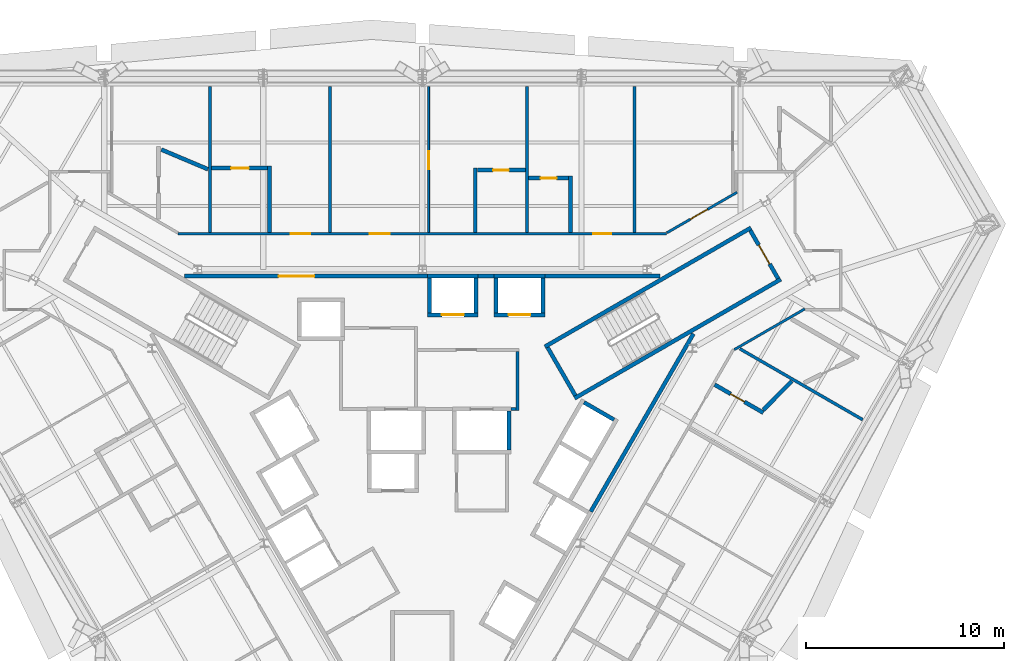
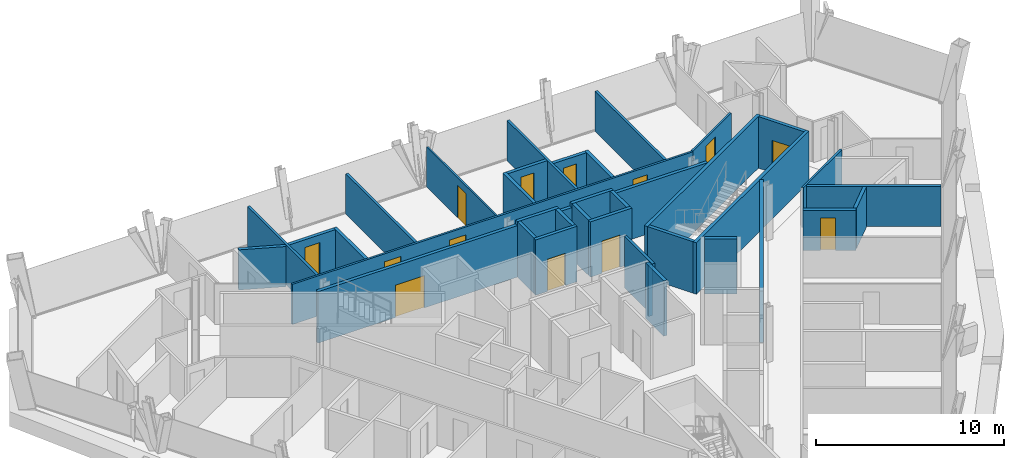
# One storey, part 12 of 15: 38 walls, 13 doors, 13 openings.
"""IFC4 building model written with IfcOpenShell, lengths in metres."""

from ifc_helpers import new_model, si_unit, direction, frame, frame_2d, origin, place, context, subcontext, project, spatial, rectangle, extrude, material, layer, layer_set, type_object, element, fill, save


model = new_model("IFC4")

# Units and contexts
model_context = context("Model", 3, precision=1e-05, world=origin(), true_north=direction((0.0, 1.0)))
body_context = subcontext(model_context, "Body", "Model", "MODEL_VIEW")
ifc_project = project(units=[si_unit("LENGTHUNIT", "METRE"), si_unit("AREAUNIT", "SQUARE_METRE"), si_unit("VOLUMEUNIT", "CUBIC_METRE"), si_unit("PLANEANGLEUNIT", "RADIAN"), si_unit("MASSUNIT", "GRAM", prefix="KILO")], contexts=[model_context])

# Site, building, storey
site_placement = place(None, origin())
site = spatial("IfcSite", under=ifc_project, at=site_placement, CompositionType="ELEMENT")
building_placement = place(site_placement, origin())
building = spatial("IfcBuilding", under=site, at=building_placement, Name="Verrane Prism Tower", CompositionType="ELEMENT")
storey_placement = place(building_placement, frame((0.0, 0.0, 118.0)))
storey = spatial("IfcBuildingStorey", under=building, at=storey_placement, Name="L28", CompositionType="ELEMENT", Elevation=118.0)

# Wall, opening, door
ifc_material_1 = material(Name="Gypsum board partition", Category="other")
ifc_layer_1 = layer(ifc_material_1, 0.199951171875)
ifc_layer_set_1 = layer_set([ifc_layer_1], Name="CW-200 core boundary wall 2 h")
wall_type_1 = type_object("IfcWallType", Name="CW-200 core boundary wall 2 h", PredefinedType="PARTITIONING", material=ifc_layer_set_1)
wall_1_placement = place(storey_placement, frame((0.262939453125, 8.860107421875, 0.0), z_axis=(0.0, 0.0, 1.0), x_axis=(-1.0, 0.0, 0.0)))
wall_1 = element("IfcWall", 1, at=wall_1_placement, inside=storey, type_object=wall_type_1, Name="Core boundary wall CW3-002", PredefinedType="PARTITIONING", context=body_context, shape_type="SweptSolid", body=[
    extrude(rectangle(XDim=12.25390625, YDim=0.199951171875, at=frame_2d((6.126953125, 0.0))), origin(), (0.0, 0.0, 1.0), 3.35009765625),
])
opening_1_placement = place(wall_1_placement, frame((5.708984375, 0.0, 0.0)))
opening_1 = element("IfcOpeningElement", 2, at=opening_1_placement, cuts=wall_1, Name="Opening D27511", PredefinedType="OPENING", context=body_context, shape_type="SweptSolid", body=[
    extrude(rectangle(XDim=1.800048828125, YDim=2.10009765625, at=frame_2d((0.89990234375, 1.050048828125))), frame((0.0, 0.10986328125, 0.0), z_axis=(0.0, -1.0, 0.0), x_axis=(1.0, 0.0, 0.0)), (0.0, 0.0, 1.0), 0.219970703125),
])
ifc_material_2 = material(Name="Timber veneered door leaf", Category="wood")
door_type_1 = type_object("IfcDoorType", Name="DR-1800x2100 FD60 double leaf lift lobby", OperationType="NOTDEFINED", PredefinedType="DOOR", material=ifc_material_2)
door_1_placement = place(opening_1_placement, origin())
door_1 = element("IfcDoor", 3, at=door_1_placement, inside=storey, type_object=door_type_1, Name="Lift lobby door D27511", OperationType="DOUBLE_DOOR_SINGLE_SWING", OverallHeight=2.10009765625, OverallWidth=1.800048828125, PredefinedType="DOOR", context=body_context, shape_type="SweptSolid", body=[
    extrude(rectangle(XDim=1.800048828125, YDim=2.10009765625, at=frame_2d((0.89990234375, 1.050048828125))), frame((0.0, 0.02490234375, 0.0), z_axis=(0.0, -1.0, 0.0), x_axis=(1.0, 0.0, 0.0)), (0.0, 0.0, 1.0), 0.050048828125),
])
fill(opening_1, door_1)

# Walls
wall_2_placement = place(storey_placement, frame((2.81689453125, 8.860107421875, 0.0), z_axis=(0.0, 0.0, 1.0), x_axis=(1.0, 0.0, 0.0)))
element("IfcWall", 4, at=wall_2_placement, inside=storey, type_object=wall_type_1, Name="Core boundary wall CW3-004", PredefinedType="PARTITIONING", context=body_context, shape_type="SweptSolid", body=[
    extrude(rectangle(XDim=0.80615234375, YDim=0.199951171875, at=frame_2d((0.403076171875, 0.0))), origin(), (0.0, 0.0, 1.0), 3.35009765625),
])
wall_3_placement = place(storey_placement, frame((6.177001953125, 8.860107421875, 0.0), z_axis=(0.0, 0.0, 1.0), x_axis=(1.0, 0.0, 0.0)))
element("IfcWall", 5, at=wall_3_placement, inside=storey, type_object=wall_type_1, Name="Core boundary wall CW3-006", PredefinedType="PARTITIONING", context=body_context, shape_type="SweptSolid", body=[
    extrude(rectangle(XDim=5.81396484375, YDim=0.199951171875, at=frame_2d((2.906982421875, 0.0))), origin(), (0.0, 0.0, 1.0), 3.35009765625),
])
wall_4_placement = place(storey_placement, frame((8.491943359375, -3.011962890625, 0.0), z_axis=(0.0, 0.0, 1.0), x_axis=(0.499972957231, 0.866041016371, 0.0)))
element("IfcWall", 6, at=wall_4_placement, inside=storey, type_object=wall_type_1, Name="Core boundary wall CW3-007", PredefinedType="PARTITIONING", context=body_context, shape_type="SweptSolid", body=[
    extrude(rectangle(XDim=10.3486328125, YDim=0.199951171875, at=frame_2d((5.17431640625, 0.0))), origin(), (0.0, 0.0, 1.0), 3.35009765625),
])

# Wall, opening, door
ifc_material_3 = material(Name="Concrete C40/50", Category="concrete")
ifc_layer_2 = layer(ifc_material_3, 0.199951171875)
ifc_layer_set_2 = layer_set([ifc_layer_2], Name="CW-200 stair core wall concrete C40/50 3 h")
wall_type_2 = type_object("IfcWallType", Name="CW-200 stair core wall concrete C40/50 3 h", PredefinedType="PARTITIONING", material=ifc_layer_set_2)
wall_5_placement = place(storey_placement, frame((17.933837890625, 8.737548828125, 0.0), z_axis=(0.0, 0.0, 1.0), x_axis=(-0.49998411664, 0.866034573852, 0.0)))
wall_5 = element("IfcWall", 7, at=wall_5_placement, inside=storey, type_object=wall_type_2, Name="Stair 1 enclosure wall", PredefinedType="PARTITIONING", context=body_context, shape_type="SweptSolid", body=[
    extrude(rectangle(XDim=2.7998046875, YDim=0.199951171875, at=frame_2d((1.39990234375, 0.0))), origin(), (0.0, 0.0, 1.0), 3.35009765625),
])
opening_2_placement = place(wall_5_placement, frame((0.849853515625, 0.0, 0.0)))
opening_2 = element("IfcOpeningElement", 8, at=opening_2_placement, cuts=wall_5, Name="Opening D27500", PredefinedType="OPENING", context=body_context, shape_type="SweptSolid", body=[
    extrude(rectangle(XDim=1.10009765625, YDim=2.10009765625, at=frame_2d((0.550048828125, 1.050048828125))), frame((0.0, 0.10986328125, 0.0), z_axis=(0.0, -1.0, 0.0), x_axis=(1.0, 0.0, 0.0)), (0.0, 0.0, 1.0), 0.219970703125),
])
ifc_material_4 = material(Name="Timber veneered door leaf", Category="wood")
door_type_2 = type_object("IfcDoorType", Name="DR-1100x2100 FD90 single leaf stair", OperationType="NOTDEFINED", PredefinedType="DOOR", material=ifc_material_4)
door_2_placement = place(opening_2_placement, origin())
door_2 = element("IfcDoor", 9, at=door_2_placement, inside=storey, type_object=door_type_2, Name="Stair 1 door", OperationType="SINGLE_SWING_LEFT", OverallHeight=2.10009765625, OverallWidth=1.10009765625, PredefinedType="DOOR", context=body_context, shape_type="SweptSolid", body=[
    extrude(rectangle(XDim=1.10009765625, YDim=2.10009765625, at=frame_2d((0.550048828125, 1.050048828125))), frame((0.0, 0.02490234375, 0.0), z_axis=(0.0, -1.0, 0.0), x_axis=(1.0, 0.0, 0.0)), (0.0, 0.0, 1.0), 0.050048828125),
])
fill(opening_2, door_2)

# Walls
for number, where, z_axis, x_axis, name in (
    (10, (6.17822265625, 5.299072265625, 0.0), (0.0, 0.0, 1.0), (0.866026010844, 0.49999894854, 0.0), "Stair 1 enclosure wall"),
    (11, (7.67822265625, 2.700927734375, 0.0), (0.0, 0.0, 1.0), (0.866026010844, 0.49999894854, 0.0), "Stair 1 enclosure wall"),
):
    element("IfcWall", number, at=place(storey_placement, frame(where, z_axis=z_axis, x_axis=x_axis)), inside=storey, type_object=wall_type_2, Name=name, PredefinedType="PARTITIONING", context=body_context, shape_type="SweptSolid", body=[
        extrude(rectangle(XDim=12.0, YDim=0.199951171875, at=frame_2d((6.0, 0.0))), origin(), (0.0, 0.0, 1.0), 3.35009765625),
    ])
wall_6_placement = place(storey_placement, frame((7.71484375, 2.837646484375, 0.0), z_axis=(0.0, 0.0, 1.0), x_axis=(-0.500049511043, 0.865996816683, 0.0)))
element("IfcWall", 12, at=wall_6_placement, inside=storey, type_object=wall_type_2, Name="Stair 1 enclosure wall", PredefinedType="PARTITIONING", context=body_context, shape_type="SweptSolid", body=[
    extrude(rectangle(XDim=2.800048828125, YDim=0.199951171875, at=frame_2d((1.39990234375, 0.0))), origin(), (0.0, 0.0, 1.0), 3.35009765625),
])

# Wall, opening, door
ifc_material_5 = material(Name="Gypsum board shaft wall assembly", Category="other")
ifc_layer_3 = layer(ifc_material_5, 0.199951171875)
ifc_layer_set_3 = layer_set([ifc_layer_3], Name="HW-200 lift shaft wall 2 h")
wall_type_3 = type_object("IfcWallType", Name="HW-200 lift shaft wall 2 h", PredefinedType="PARTITIONING", material=ifc_layer_set_3)
wall_7_placement = place(storey_placement, frame((0.264892578125, 6.909912109375, 0.0), z_axis=(0.0, 0.0, 1.0), x_axis=(1.0, 0.0, 0.0)))
wall_7 = element("IfcWall", 13, at=wall_7_placement, inside=storey, type_object=wall_type_3, Name="Lift shaft wall", PredefinedType="PARTITIONING", context=body_context, shape_type="SweptSolid", body=[
    extrude(rectangle(XDim=2.550048828125, YDim=0.199951171875, at=frame_2d((1.27490234375, 0.0))), origin(), (0.0, 0.0, 1.0), 3.60009765625),
])
opening_3_placement = place(wall_7_placement, frame((0.72509765625, 0.0, 0.0)))
opening_3 = element("IfcOpeningElement", 14, at=opening_3_placement, cuts=wall_7, Name="Opening D27503", PredefinedType="OPENING", context=body_context, shape_type="SweptSolid", body=[
    extrude(rectangle(XDim=1.10009765625, YDim=2.10009765625, at=frame_2d((0.550048828125, 1.050048828125))), frame((0.0, 0.10986328125, 0.0), z_axis=(0.0, -1.0, 0.0), x_axis=(1.0, 0.0, 0.0)), (0.0, 0.0, 1.0), 0.219970703125),
])
ifc_material_6 = material(Name="Stainless steel sliding landing door", Category="steel")
door_type_3 = type_object("IfcDoorType", Name="LD-1100x2100 lift landing door FD90 sliding", OperationType="NOTDEFINED", PredefinedType="DOOR", material=ifc_material_6)
door_3_placement = place(opening_3_placement, origin())
door_3 = element("IfcDoor", 15, at=door_3_placement, inside=storey, type_object=door_type_3, Name="Bank A lift 1 landing door", OperationType="SLIDING_TO_LEFT", OverallHeight=2.10009765625, OverallWidth=1.10009765625, PredefinedType="DOOR", context=body_context, shape_type="SweptSolid", body=[
    extrude(rectangle(XDim=1.10009765625, YDim=2.10009765625, at=frame_2d((0.550048828125, 1.050048828125))), frame((0.0, 0.02490234375, 0.0), z_axis=(0.0, -1.0, 0.0), x_axis=(1.0, 0.0, 0.0)), (0.0, 0.0, 1.0), 0.050048828125),
])
fill(opening_3, door_3)

wall_8_placement = place(storey_placement, frame((3.625, 6.909912109375, 0.0), z_axis=(0.0, 0.0, 1.0), x_axis=(1.0, 0.0, 0.0)))
wall_8 = element("IfcWall", 16, at=wall_8_placement, inside=storey, type_object=wall_type_3, Name="Lift shaft wall", PredefinedType="PARTITIONING", context=body_context, shape_type="SweptSolid", body=[
    extrude(rectangle(XDim=2.550048828125, YDim=0.199951171875, at=frame_2d((1.27490234375, 0.0))), origin(), (0.0, 0.0, 1.0), 3.60009765625),
])
opening_4_placement = place(wall_8_placement, frame((0.72509765625, 0.0, 0.0)))
opening_4 = element("IfcOpeningElement", 17, at=opening_4_placement, cuts=wall_8, Name="Opening D27505", PredefinedType="OPENING", context=body_context, shape_type="SweptSolid", body=[
    extrude(rectangle(XDim=1.10009765625, YDim=2.10009765625, at=frame_2d((0.550048828125, 1.050048828125))), frame((0.0, 0.10986328125, 0.0), z_axis=(0.0, -1.0, 0.0), x_axis=(1.0, 0.0, 0.0)), (0.0, 0.0, 1.0), 0.219970703125),
])
door_4_placement = place(opening_4_placement, origin())
door_4 = element("IfcDoor", 18, at=door_4_placement, inside=storey, type_object=door_type_3, Name="Bank A lift 3 landing door", OperationType="SLIDING_TO_LEFT", OverallHeight=2.10009765625, OverallWidth=1.10009765625, PredefinedType="DOOR", context=body_context, shape_type="SweptSolid", body=[
    extrude(rectangle(XDim=1.10009765625, YDim=2.10009765625, at=frame_2d((0.550048828125, 1.050048828125))), frame((0.0, 0.02490234375, 0.0), z_axis=(0.0, -1.0, 0.0), x_axis=(1.0, 0.0, 0.0)), (0.0, 0.0, 1.0), 0.050048828125),
])
fill(opening_4, door_4)

# Walls
for number, where, z_axis, x_axis, name in (
    (19, (0.264892578125, 8.860107421875, 0.0), (0.0, 0.0, 1.0), (1.0, 0.0, 0.0), "Lift shaft wall"),
    (20, (3.625, 8.860107421875, 0.0), (0.0, 0.0, 1.0), (1.0, 0.0, 0.0), "Lift shaft wall"),
):
    element("IfcWall", number, at=place(storey_placement, frame(where, z_axis=z_axis, x_axis=x_axis)), inside=storey, type_object=wall_type_3, Name=name, PredefinedType="PARTITIONING", context=body_context, shape_type="SweptSolid", body=[
        extrude(rectangle(XDim=2.550048828125, YDim=0.199951171875, at=frame_2d((1.27490234375, 0.0))), origin(), (0.0, 0.0, 1.0), 3.60009765625),
    ])
wall_9_placement = place(storey_placement, frame((6.074951171875, 7.010009765625, 0.0), z_axis=(0.0, 0.0, 1.0), x_axis=(0.0, 1.0, 0.0)))
element("IfcWall", 21, at=wall_9_placement, inside=storey, type_object=wall_type_3, Name="Lift shaft wall", PredefinedType="PARTITIONING", context=body_context, shape_type="SweptSolid", body=[
    extrude(rectangle(XDim=1.75, YDim=0.199951171875, at=frame_2d((0.875, 0.0))), origin(), (0.0, 0.0, 1.0), 3.60009765625),
])
wall_10_placement = place(storey_placement, frame((4.375, 0.10009765625, 0.0), z_axis=(0.0, 0.0, 1.0), x_axis=(0.0, 1.0, 0.0)))
element("IfcWall", 22, at=wall_10_placement, inside=storey, type_object=wall_type_3, Name="Lift shaft wall", PredefinedType="PARTITIONING", context=body_context, shape_type="SweptSolid", body=[
    extrude(rectangle(XDim=1.949951171875, YDim=0.199951171875, at=frame_2d((0.97509765625, 0.0))), origin(), (0.0, 0.0, 1.0), 3.60009765625),
])
for number, where, z_axis, x_axis, name in (
    (23, (3.72509765625, 7.010009765625, 0.0), (0.0, 0.0, 1.0), (0.0, 1.0, 0.0), "Lift shaft wall"),
    (24, (2.715087890625, 7.010009765625, 0.0), (0.0, 0.0, 1.0), (0.0, 1.0, 0.0), "Lift shaft wall"),
    (25, (0.364990234375, 7.010009765625, 0.0), (0.0, 0.0, 1.0), (0.0, 1.0, 0.0), "Lift shaft wall"),
):
    element("IfcWall", number, at=place(storey_placement, frame(where, z_axis=z_axis, x_axis=x_axis)), inside=storey, type_object=wall_type_3, Name=name, PredefinedType="PARTITIONING", context=body_context, shape_type="SweptSolid", body=[
        extrude(rectangle(XDim=1.75, YDim=0.199951171875, at=frame_2d((0.875, 0.0))), origin(), (0.0, 0.0, 1.0), 3.60009765625),
    ])
wall_11_placement = place(storey_placement, frame((9.66455078125, 1.61962890625, 0.0), z_axis=(0.0, 0.0, 1.0), x_axis=(-0.866002029911, 0.500040482552, 0.0)))
element("IfcWall", 26, at=wall_11_placement, inside=storey, type_object=wall_type_3, Name="Lift shaft wall", PredefinedType="PARTITIONING", context=body_context, shape_type="SweptSolid", body=[
    extrude(rectangle(XDim=1.749755859375, YDim=0.199951171875, at=frame_2d((0.875, 0.0))), origin(), (0.0, 0.0, 1.0), 3.60009765625),
])
ifc_material_7 = material(Name="Gypsum board partition", Category="other")
ifc_layer_4 = layer(ifc_material_7, 0.14990234375)
ifc_layer_set_4 = layer_set([ifc_layer_4], Name="LF-150 firefighting lobby wall 1 h")
wall_type_4 = type_object("IfcWallType", Name="LF-150 firefighting lobby wall 1 h", PredefinedType="PARTITIONING", material=ifc_layer_set_4)
wall_12_placement = place(storey_placement, frame((4.47705078125, 2.159912109375, 0.0), z_axis=(0.0, 0.0, 1.0), x_axis=(1.0, 0.0, 0.0)))
element("IfcWall", 27, at=wall_12_placement, inside=storey, type_object=wall_type_4, Name="Firefighting lobby wall LF1-007", PredefinedType="PARTITIONING", context=body_context, shape_type="SweptSolid", body=[
    extrude(rectangle(XDim=0.238037109375, YDim=0.14990234375, at=frame_2d((0.119140625, 0.0))), origin(), (0.0, 0.0, 1.0), 3.35009765625),
])
wall_13_placement = place(storey_placement, frame((4.7900390625, 2.0849609375, 0.0), z_axis=(0.0, 0.0, 1.0), x_axis=(0.0, 1.0, 0.0)))
element("IfcWall", 28, at=wall_13_placement, inside=storey, type_object=wall_type_4, Name="Firefighting lobby wall LF1-008", PredefinedType="PARTITIONING", context=body_context, shape_type="SweptSolid", body=[
    extrude(rectangle(XDim=2.97998046875, YDim=0.14990234375, at=frame_2d((1.489990234375, 0.0))), origin(), (0.0, 0.0, 1.0), 3.35009765625),
])

# Wall, opening, door
ifc_material_8 = material(Name="Gypsum board partition", Category="other")
ifc_layer_5 = layer(ifc_material_8, 0.10009765625)
ifc_layer_set_5 = layer_set([ifc_layer_5], Name="PW-100 room partition")
wall_type_5 = type_object("IfcWallType", Name="PW-100 room partition", PredefinedType="PARTITIONING", material=ifc_layer_set_5)
wall_14_placement = place(storey_placement, frame((0.31298828125, 18.4150390625, 0.0), z_axis=(0.0, 0.0, 1.0), x_axis=(0.0, -1.0, 0.0)))
wall_14 = element("IfcWall", 29, at=wall_14_placement, inside=storey, type_object=wall_type_5, Name="Room partition 038", PredefinedType="PARTITIONING", context=body_context, shape_type="SweptSolid", body=[
    extrude(rectangle(XDim=7.3525390625, YDim=0.10009765625, at=frame_2d((3.67626953125, 0.0))), origin(), (0.0, 0.0, 1.0), 2.613037109375),
])
opening_5_placement = place(wall_14_placement, frame((3.264892578125, 0.0, 0.0)))
opening_5 = element("IfcOpeningElement", 30, at=opening_5_placement, cuts=wall_14, Name="Opening D27007", PredefinedType="OPENING", context=body_context, shape_type="SweptSolid", body=[
    extrude(rectangle(XDim=0.89990234375, YDim=2.10009765625, at=frame_2d((0.449951171875, 1.050048828125))), frame((0.0, 0.06005859375, 0.0), z_axis=(0.0, -1.0, 0.0), x_axis=(1.0, 0.0, 0.0)), (0.0, 0.0, 1.0), 0.1201171875),
])
ifc_material_9 = material(Name="Timber veneered door leaf", Category="wood")
door_type_4 = type_object("IfcDoorType", Name="DR-900x2100 single leaf inner", OperationType="NOTDEFINED", PredefinedType="DOOR", material=ifc_material_9)
door_5_placement = place(opening_5_placement, origin())
door_5 = element("IfcDoor", 31, at=door_5_placement, inside=storey, type_object=door_type_4, Name="Suite Living Room door", OperationType="SINGLE_SWING_RIGHT", OverallHeight=2.10009765625, OverallWidth=0.89990234375, PredefinedType="DOOR", context=body_context, shape_type="SweptSolid", body=[
    extrude(rectangle(XDim=0.89990234375, YDim=2.10009765625, at=frame_2d((0.449951171875, 1.050048828125))), frame((0.0, 0.02490234375, 0.0), z_axis=(0.0, -1.0, 0.0), x_axis=(1.0, 0.0, 0.0)), (0.0, 0.0, 1.0), 0.050048828125),
])
fill(opening_5, door_5)

# Wall, openings, doors
ifc_material_10 = material(Name="Gypsum board partition", Category="other")
ifc_layer_6 = layer(ifc_material_10, 0.125)
ifc_layer_set_6 = layer_set([ifc_layer_6], Name="PW-125 corridor wall 1 h")
wall_type_6 = type_object("IfcWallType", Name="PW-125 corridor wall 1 h", PredefinedType="PARTITIONING", material=ifc_layer_set_6)
wall_15_placement = place(storey_placement, frame((-12.3154296875, 11.0, 0.0), z_axis=(0.0, 0.0, 1.0), x_axis=(1.0, 0.0, 0.0)))
wall_15 = element("IfcWall", 32, at=wall_15_placement, inside=storey, type_object=wall_type_6, Name="Corridor wall 026", PredefinedType="PARTITIONING", context=body_context, shape_type="SweptSolid", body=[
    extrude(rectangle(XDim=24.630859375, YDim=0.125, at=frame_2d((12.3154296875, 0.0))), origin(), (0.0, 0.0, 1.0), 2.613037109375),
])
opening_6_placement = place(wall_15_placement, frame((20.9345703125, 0.0, 0.0)))
opening_6 = element("IfcOpeningElement", 33, at=opening_6_placement, cuts=wall_15, Name="Opening D27004", PredefinedType="OPENING", context=body_context, shape_type="SweptSolid", body=[
    extrude(rectangle(XDim=0.89990234375, YDim=2.10009765625, at=frame_2d((0.449951171875, 1.050048828125))), frame((0.0, 0.072509765625, 0.0), z_axis=(0.0, -1.0, 0.0), x_axis=(1.0, 0.0, 0.0)), (0.0, 0.0, 1.0), 0.14501953125),
])
opening_7_placement = place(wall_15_placement, frame((9.672607421875, 0.0, 0.0)))
opening_7 = element("IfcOpeningElement", 34, at=opening_7_placement, cuts=wall_15, Name="Opening D27006", PredefinedType="OPENING", context=body_context, shape_type="SweptSolid", body=[
    extrude(rectangle(XDim=1.0, YDim=2.10009765625, at=frame_2d((0.5, 1.050048828125))), frame((0.0, 0.072509765625, 0.0), z_axis=(0.0, -1.0, 0.0), x_axis=(1.0, 0.0, 0.0)), (0.0, 0.0, 1.0), 0.14501953125),
])
opening_8_placement = place(wall_15_placement, frame((5.67041015625, 0.0, 0.0)))
opening_8 = element("IfcOpeningElement", 35, at=opening_8_placement, cuts=wall_15, Name="Opening D27009", PredefinedType="OPENING", context=body_context, shape_type="SweptSolid", body=[
    extrude(rectangle(XDim=1.0, YDim=2.10009765625, at=frame_2d((0.5, 1.050048828125))), frame((0.0, 0.072509765625, 0.0), z_axis=(0.0, -1.0, 0.0), x_axis=(1.0, 0.0, 0.0)), (0.0, 0.0, 1.0), 0.14501953125),
])
ifc_material_11 = material(Name="Timber veneered door leaf", Category="wood")
door_type_5 = type_object("IfcDoorType", Name="DR-1000x2100 FD20 single leaf unit", OperationType="NOTDEFINED", PredefinedType="DOOR", material=ifc_material_11)
door_6_placement = place(opening_7_placement, origin())
door_6 = element("IfcDoor", 36, at=door_6_placement, inside=storey, type_object=door_type_5, Name="Suite Living Room door", OperationType="SINGLE_SWING_RIGHT", OverallHeight=2.10009765625, OverallWidth=1.0, PredefinedType="DOOR", context=body_context, shape_type="SweptSolid", body=[
    extrude(rectangle(XDim=1.0, YDim=2.10009765625, at=frame_2d((0.5, 1.050048828125))), frame((0.0, 0.02490234375, 0.0), z_axis=(0.0, -1.0, 0.0), x_axis=(1.0, 0.0, 0.0)), (0.0, 0.0, 1.0), 0.050048828125),
])
fill(opening_7, door_6)
door_7_placement = place(opening_8_placement, origin())
door_7 = element("IfcDoor", 37, at=door_7_placement, inside=storey, type_object=door_type_5, Name="Accessible Guest Room door", OperationType="SINGLE_SWING_LEFT", OverallHeight=2.10009765625, OverallWidth=1.0, PredefinedType="DOOR", context=body_context, shape_type="SweptSolid", body=[
    extrude(rectangle(XDim=1.0, YDim=2.10009765625, at=frame_2d((0.5, 1.050048828125))), frame((0.0, 0.02490234375, 0.0), z_axis=(0.0, -1.0, 0.0), x_axis=(1.0, 0.0, 0.0)), (0.0, 0.0, 1.0), 0.050048828125),
])
fill(opening_8, door_7)
ifc_material_12 = material(Name="Timber veneered door leaf", Category="wood")
door_type_6 = type_object("IfcDoorType", Name="DR-900x2100 FD20 single leaf unit", OperationType="NOTDEFINED", PredefinedType="DOOR", material=ifc_material_12)
door_8_placement = place(opening_6_placement, origin())
door_8 = element("IfcDoor", 38, at=door_8_placement, inside=storey, type_object=door_type_6, Name="Guest Room door", OperationType="SINGLE_SWING_RIGHT", OverallHeight=2.10009765625, OverallWidth=0.89990234375, PredefinedType="DOOR", context=body_context, shape_type="SweptSolid", body=[
    extrude(rectangle(XDim=0.89990234375, YDim=2.10009765625, at=frame_2d((0.449951171875, 1.050048828125))), frame((0.0, 0.02490234375, 0.0), z_axis=(0.0, -1.0, 0.0), x_axis=(1.0, 0.0, 0.0)), (0.0, 0.0, 1.0), 0.050048828125),
])
fill(opening_6, door_8)

# Wall, opening, door
wall_16_placement = place(storey_placement, frame((12.32666015625, 11.04248046875, 0.0), z_axis=(0.0, 0.0, 1.0), x_axis=(0.866070231021, 0.499922348909, 0.0)))
wall_16 = element("IfcWall", 39, at=wall_16_placement, inside=storey, type_object=wall_type_6, Name="Corridor wall 058", PredefinedType="PARTITIONING", context=body_context, shape_type="SweptSolid", body=[
    extrude(rectangle(XDim=4.088134765625, YDim=0.125, at=frame_2d((2.0439453125, 0.0))), origin(), (0.0, 0.0, 1.0), 2.613037109375),
])
opening_9_placement = place(wall_16_placement, frame((1.364990234375, 0.0, 0.0)))
opening_9 = element("IfcOpeningElement", 40, at=opening_9_placement, cuts=wall_16, Name="Opening D27001", PredefinedType="OPENING", context=body_context, shape_type="SweptSolid", body=[
    extrude(rectangle(XDim=1.0, YDim=2.10009765625, at=frame_2d((0.5, 1.050048828125))), frame((0.0, 0.072509765625, 0.0), z_axis=(0.0, -1.0, 0.0), x_axis=(1.0, 0.0, 0.0)), (0.0, 0.0, 1.0), 0.14501953125),
])
door_9_placement = place(opening_9_placement, origin())
door_9 = element("IfcDoor", 41, at=door_9_placement, inside=storey, type_object=door_type_5, Name="Suite Living Room door", OperationType="SINGLE_SWING_LEFT", OverallHeight=2.10009765625, OverallWidth=1.0, PredefinedType="DOOR", context=body_context, shape_type="SweptSolid", body=[
    extrude(rectangle(XDim=1.0, YDim=2.10009765625, at=frame_2d((0.5, 1.050048828125))), frame((0.0, 0.02490234375, 0.0), z_axis=(0.0, -1.0, 0.0), x_axis=(1.0, 0.0, 0.0)), (0.0, 0.0, 1.0), 0.050048828125),
])
fill(opening_9, door_9)

# Walls
wall_17_placement = place(storey_placement, frame((15.7265625, 5.153564453125, 0.0), z_axis=(0.0, 0.0, 1.0), x_axis=(0.865992261418, 0.50005739987, 0.0)))
element("IfcWall", 42, at=wall_17_placement, inside=storey, type_object=wall_type_6, Name="Corridor wall 062", PredefinedType="PARTITIONING", context=body_context, shape_type="SweptSolid", body=[
    extrude(rectangle(XDim=4.10107421875, YDim=0.125, at=frame_2d((2.050537109375, 0.0))), origin(), (0.0, 0.0, 1.0), 2.613037109375),
])
ifc_material_13 = material(Name="Gypsum board partition", Category="other")
ifc_layer_7 = layer(ifc_material_13, 0.14990234375)
ifc_layer_set_7 = layer_set([ifc_layer_7], Name="PW-150 demising wall 1 h")
wall_type_7 = type_object("IfcWallType", Name="PW-150 demising wall 1 h", PredefinedType="PARTITIONING", material=ifc_layer_set_7)
for number, where, z_axis, x_axis, name in (
    (43, (-10.695068359375, 11.0625, 0.0), (0.0, 0.0, 1.0), (0.0, 1.0, 0.0), "Demising wall 028"),
    (44, (-4.64306640625, 11.0625, 0.0), (0.0, 0.0, 1.0), (0.0, 1.0, 0.0), "Demising wall 036"),
    (45, (5.26904296875, 11.0625, 0.0), (0.0, 0.0, 1.0), (0.0, 1.0, 0.0), "Demising wall 046"),
    (46, (10.695068359375, 11.0625, 0.0), (0.0, 0.0, 1.0), (0.0, 1.0, 0.0), "Demising wall 055"),
):
    element("IfcWall", number, at=place(storey_placement, frame(where, z_axis=z_axis, x_axis=x_axis)), inside=storey, type_object=wall_type_7, Name=name, PredefinedType="PARTITIONING", context=body_context, shape_type="SweptSolid", body=[
        extrude(rectangle(XDim=7.3525390625, YDim=0.14990234375, at=frame_2d((3.67626953125, 0.0))), origin(), (0.0, 0.0, 1.0), 2.613037109375),
    ])
wall_18_placement = place(storey_placement, frame((16.00390625, 5.1982421875, 0.0), z_axis=(0.0, 0.0, 1.0), x_axis=(0.866025331845, -0.500000124603, 0.0)))
element("IfcWall", 47, at=wall_18_placement, inside=storey, type_object=wall_type_7, Name="Demising wall 065", PredefinedType="PARTITIONING", context=body_context, shape_type="SweptSolid", body=[
    extrude(rectangle(XDim=7.154296875, YDim=0.14990234375, at=frame_2d((3.5771484375, 0.0))), origin(), (0.0, 0.0, 1.0), 2.613037109375),
])
ifc_material_14 = material(Name="Gypsum board partition", Category="other")
ifc_layer_8 = layer(ifc_material_14, 0.199951171875)
ifc_layer_set_8 = layer_set([ifc_layer_8], Name="PW-200 plumbing wall")
wall_type_8 = type_object("IfcWallType", Name="PW-200 plumbing wall", PredefinedType="PARTITIONING", material=ifc_layer_set_8)
wall_19_placement = place(storey_placement, frame((-13.15673828125, 15.23876953125, 0.0), z_axis=(0.0, 0.0, 1.0), x_axis=(0.921335745266, -0.388767854247, 0.0)))
element("IfcWall", 48, at=wall_19_placement, inside=storey, type_object=wall_type_8, Name="Plumbing wall 025", PredefinedType="PARTITIONING", context=body_context, shape_type="SweptSolid", body=[
    extrude(rectangle(XDim=2.54833984375, YDim=0.199951171875, at=frame_2d((1.274169921875, 0.0))), origin(), (0.0, 0.0, 1.0), 2.613037109375),
])

# Wall, opening, door
wall_20_placement = place(storey_placement, frame((-7.794921875, 14.300048828125, 0.0), z_axis=(0.0, 0.0, 1.0), x_axis=(-1.0, 0.0, 0.0)))
wall_20 = element("IfcWall", 49, at=wall_20_placement, inside=storey, type_object=wall_type_8, Name="Plumbing wall 029", PredefinedType="PARTITIONING", context=body_context, shape_type="SweptSolid", body=[
    extrude(rectangle(XDim=2.8251953125, YDim=0.199951171875, at=frame_2d((1.41259765625, 0.0))), origin(), (0.0, 0.0, 1.0), 2.613037109375),
])
opening_10_placement = place(wall_20_placement, frame((0.949951171875, 0.0, 0.0)))
opening_10 = element("IfcOpeningElement", 50, at=opening_10_placement, cuts=wall_20, Name="Opening D27010", PredefinedType="OPENING", context=body_context, shape_type="SweptSolid", body=[
    extrude(rectangle(XDim=0.89990234375, YDim=2.10009765625, at=frame_2d((0.449951171875, 1.050048828125))), frame((0.0, 0.10986328125, 0.0), z_axis=(0.0, -1.0, 0.0), x_axis=(1.0, 0.0, 0.0)), (0.0, 0.0, 1.0), 0.219970703125),
])
ifc_material_15 = material(Name="Timber veneered door leaf", Category="wood")
door_type_7 = type_object("IfcDoorType", Name="DR-900x2100 single leaf bath", OperationType="NOTDEFINED", PredefinedType="DOOR", material=ifc_material_15)
door_10_placement = place(opening_10_placement, origin())
door_10 = element("IfcDoor", 51, at=door_10_placement, inside=storey, type_object=door_type_7, Name="En-Suite door", OperationType="SINGLE_SWING_LEFT", OverallHeight=2.10009765625, OverallWidth=0.89990234375, PredefinedType="DOOR", context=body_context, shape_type="SweptSolid", body=[
    extrude(rectangle(XDim=0.89990234375, YDim=2.10009765625, at=frame_2d((0.449951171875, 1.050048828125))), frame((0.0, 0.02490234375, 0.0), z_axis=(0.0, -1.0, 0.0), x_axis=(1.0, 0.0, 0.0)), (0.0, 0.0, 1.0), 0.050048828125),
])
fill(opening_10, door_10)

# Walls
wall_21_placement = place(storey_placement, frame((-7.695068359375, 11.0625, 0.0), z_axis=(0.0, 0.0, 1.0), x_axis=(0.0, 1.0, 0.0)))
element("IfcWall", 52, at=wall_21_placement, inside=storey, type_object=wall_type_8, Name="Plumbing wall 034", PredefinedType="PARTITIONING", context=body_context, shape_type="SweptSolid", body=[
    extrude(rectangle(XDim=3.33740234375, YDim=0.199951171875, at=frame_2d((1.668701171875, 0.0))), origin(), (0.0, 0.0, 1.0), 2.613037109375),
])
wall_22_placement = place(storey_placement, frame((2.6689453125, 11.0625, 0.0), z_axis=(0.0, 0.0, 1.0), x_axis=(0.0, 1.0, 0.0)))
element("IfcWall", 53, at=wall_22_placement, inside=storey, type_object=wall_type_8, Name="Plumbing wall 039", PredefinedType="PARTITIONING", context=body_context, shape_type="SweptSolid", body=[
    extrude(rectangle(XDim=3.237548828125, YDim=0.199951171875, at=frame_2d((1.61865234375, 0.0))), origin(), (0.0, 0.0, 1.0), 2.613037109375),
])

# Wall, opening, door
wall_23_placement = place(storey_placement, frame((5.194091796875, 14.199951171875, 0.0), z_axis=(0.0, 0.0, 1.0), x_axis=(-1.0, 0.0, 0.0)))
wall_23 = element("IfcWall", 54, at=wall_23_placement, inside=storey, type_object=wall_type_8, Name="Plumbing wall 040", PredefinedType="PARTITIONING", context=body_context, shape_type="SweptSolid", body=[
    extrude(rectangle(XDim=2.425048828125, YDim=0.199951171875, at=frame_2d((1.21240234375, 0.0))), origin(), (0.0, 0.0, 1.0), 2.613037109375),
])
opening_11_placement = place(wall_23_placement, frame((0.824951171875, 0.0, 0.0)))
opening_11 = element("IfcOpeningElement", 55, at=opening_11_placement, cuts=wall_23, Name="Opening D27008", PredefinedType="OPENING", context=body_context, shape_type="SweptSolid", body=[
    extrude(rectangle(XDim=0.800048828125, YDim=2.10009765625, at=frame_2d((0.39990234375, 1.050048828125))), frame((0.0, 0.10986328125, 0.0), z_axis=(0.0, -1.0, 0.0), x_axis=(1.0, 0.0, 0.0)), (0.0, 0.0, 1.0), 0.219970703125),
])
ifc_material_16 = material(Name="Timber veneered door leaf", Category="wood")
door_type_8 = type_object("IfcDoorType", Name="DR-800x2100 single leaf bath", OperationType="NOTDEFINED", PredefinedType="DOOR", material=ifc_material_16)
door_11_placement = place(opening_11_placement, origin())
door_11 = element("IfcDoor", 56, at=door_11_placement, inside=storey, type_object=door_type_8, Name="En-Suite door", OperationType="SINGLE_SWING_LEFT", OverallHeight=2.10009765625, OverallWidth=0.800048828125, PredefinedType="DOOR", context=body_context, shape_type="SweptSolid", body=[
    extrude(rectangle(XDim=0.800048828125, YDim=2.10009765625, at=frame_2d((0.39990234375, 1.050048828125))), frame((0.0, 0.02490234375, 0.0), z_axis=(0.0, -1.0, 0.0), x_axis=(1.0, 0.0, 0.0)), (0.0, 0.0, 1.0), 0.050048828125),
])
fill(opening_11, door_11)

wall_24_placement = place(storey_placement, frame((7.368896484375, 13.800048828125, 0.0), z_axis=(0.0, 0.0, 1.0), x_axis=(-1.0, 0.0, 0.0)))
wall_24 = element("IfcWall", 57, at=wall_24_placement, inside=storey, type_object=wall_type_8, Name="Plumbing wall 047", PredefinedType="PARTITIONING", context=body_context, shape_type="SweptSolid", body=[
    extrude(rectangle(XDim=2.02490234375, YDim=0.199951171875, at=frame_2d((1.012451171875, 0.0))), origin(), (0.0, 0.0, 1.0), 2.613037109375),
])
opening_12_placement = place(wall_24_placement, frame((0.60009765625, 0.0, 0.0)))
opening_12 = element("IfcOpeningElement", 58, at=opening_12_placement, cuts=wall_24, Name="Opening D27005", PredefinedType="OPENING", context=body_context, shape_type="SweptSolid", body=[
    extrude(rectangle(XDim=0.800048828125, YDim=2.10009765625, at=frame_2d((0.39990234375, 1.050048828125))), frame((0.0, 0.10986328125, 0.0), z_axis=(0.0, -1.0, 0.0), x_axis=(1.0, 0.0, 0.0)), (0.0, 0.0, 1.0), 0.219970703125),
])
door_12_placement = place(opening_12_placement, origin())
door_12 = element("IfcDoor", 59, at=door_12_placement, inside=storey, type_object=door_type_8, Name="En-Suite door", OperationType="SINGLE_SWING_RIGHT", OverallHeight=2.10009765625, OverallWidth=0.800048828125, PredefinedType="DOOR", context=body_context, shape_type="SweptSolid", body=[
    extrude(rectangle(XDim=0.800048828125, YDim=2.10009765625, at=frame_2d((0.39990234375, 1.050048828125))), frame((0.0, 0.02490234375, 0.0), z_axis=(0.0, -1.0, 0.0), x_axis=(1.0, 0.0, 0.0)), (0.0, 0.0, 1.0), 0.050048828125),
])
fill(opening_12, door_12)

# Wall
wall_25_placement = place(storey_placement, frame((7.468994140625, 11.0625, 0.0), z_axis=(0.0, 0.0, 1.0), x_axis=(0.0, 1.0, 0.0)))
element("IfcWall", 60, at=wall_25_placement, inside=storey, type_object=wall_type_8, Name="Plumbing wall 050", PredefinedType="PARTITIONING", context=body_context, shape_type="SweptSolid", body=[
    extrude(rectangle(XDim=2.83740234375, YDim=0.199951171875, at=frame_2d((1.418701171875, 0.0))), origin(), (0.0, 0.0, 1.0), 2.613037109375),
])

# Wall, opening, door
wall_26_placement = place(storey_placement, frame((14.736572265625, 3.38916015625, 0.0), z_axis=(0.0, 0.0, 1.0), x_axis=(0.866033446572, -0.499986069224, 0.0)))
wall_26 = element("IfcWall", 61, at=wall_26_placement, inside=storey, type_object=wall_type_8, Name="Plumbing wall 060", PredefinedType="PARTITIONING", context=body_context, shape_type="SweptSolid", body=[
    extrude(rectangle(XDim=2.83251953125, YDim=0.199951171875, at=frame_2d((1.416259765625, 0.0))), origin(), (0.0, 0.0, 1.0), 2.613037109375),
])
opening_13_placement = place(wall_26_placement, frame((0.932373046875, 0.0, 0.0)))
opening_13 = element("IfcOpeningElement", 62, at=opening_13_placement, cuts=wall_26, Name="Opening D27036", PredefinedType="OPENING", context=body_context, shape_type="SweptSolid", body=[
    extrude(rectangle(XDim=0.800048828125, YDim=2.10009765625, at=frame_2d((0.39990234375, 1.050048828125))), frame((0.0, 0.10986328125, 0.0), z_axis=(0.0, -1.0, 0.0), x_axis=(1.0, 0.0, 0.0)), (0.0, 0.0, 1.0), 0.219970703125),
])
door_13_placement = place(opening_13_placement, origin())
door_13 = element("IfcDoor", 63, at=door_13_placement, inside=storey, type_object=door_type_8, Name="En-Suite door", OperationType="SINGLE_SWING_RIGHT", OverallHeight=2.10009765625, OverallWidth=0.800048828125, PredefinedType="DOOR", context=body_context, shape_type="SweptSolid", body=[
    extrude(rectangle(XDim=0.800048828125, YDim=2.10009765625, at=frame_2d((0.39990234375, 1.050048828125))), frame((0.0, 0.02490234375, 0.0), z_axis=(0.0, -1.0, 0.0), x_axis=(1.0, 0.0, 0.0)), (0.0, 0.0, 1.0), 0.050048828125),
])
fill(opening_13, door_13)

# Wall
wall_27_placement = place(storey_placement, frame((17.1875, 2.108154296875, 0.0), z_axis=(0.0, 0.0, 1.0), x_axis=(0.703527770295, 0.710667767964, 0.0)))
element("IfcWall", 64, at=wall_27_placement, inside=storey, type_object=wall_type_8, Name="Plumbing wall 066", PredefinedType="PARTITIONING", context=body_context, shape_type="SweptSolid", body=[
    extrude(rectangle(XDim=2.051513671875, YDim=0.199951171875, at=frame_2d((1.02587890625, 0.0))), origin(), (0.0, 0.0, 1.0), 2.613037109375),
])

save(model, "model.ifc")
